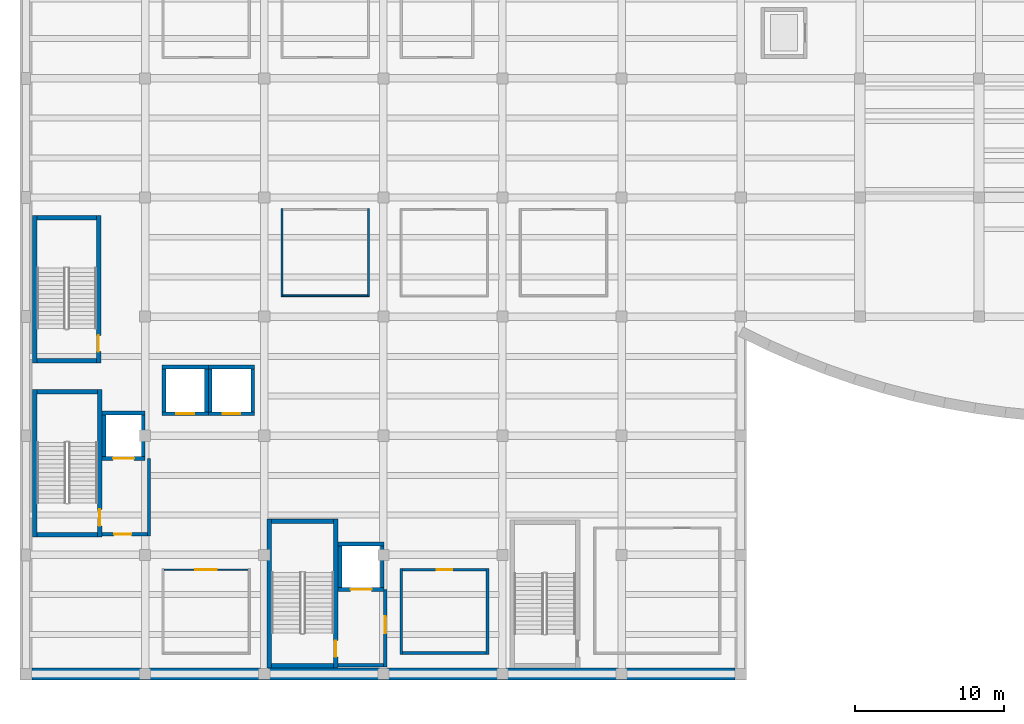
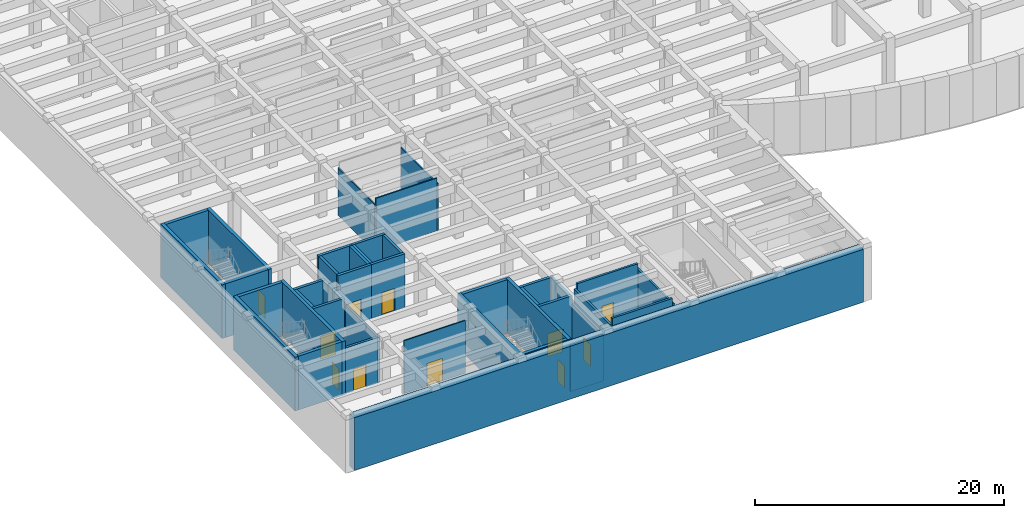
# One storey, part 5 of 19: 41 walls, 11 doors, 11 openings.
"""IFC4 building model written with IfcOpenShell, lengths in metres."""

from ifc_helpers import new_model, si_unit, direction, frame, frame_2d, origin, place, context, subcontext, project, spatial, rectangle, extrude, material, layer, layer_set, type_object, element, fill, save


model = new_model("IFC4")

# Units and contexts
model_context = context("Model", 3, precision=1e-05, world=origin(), true_north=direction((0.0, 1.0)))
body_context = subcontext(model_context, "Body", "Model", "MODEL_VIEW")
ifc_project = project(units=[si_unit("LENGTHUNIT", "METRE"), si_unit("AREAUNIT", "SQUARE_METRE"), si_unit("VOLUMEUNIT", "CUBIC_METRE"), si_unit("PLANEANGLEUNIT", "RADIAN"), si_unit("MASSUNIT", "GRAM", prefix="KILO")], contexts=[model_context])

# Site, building, storey
site_placement = place(None, origin())
site = spatial("IfcSite", under=ifc_project, at=site_placement, CompositionType="ELEMENT")
building_placement = place(site_placement, origin())
building = spatial("IfcBuilding", under=site, at=building_placement, Name="Drelvath Fold Interchange", CompositionType="ELEMENT")
storey_placement = place(building_placement, frame((0.0, 0.0, -5.60009765625)))
storey = spatial("IfcBuildingStorey", under=building, at=storey_placement, Name="B1", CompositionType="ELEMENT", Elevation=-5.60009765625)

# Wall
ifc_material_1 = material(Name="Concrete f'c 45 MPa (6500 psi)", Category="concrete")
ifc_layer_1 = layer(ifc_material_1, 0.300048828125, Name="Concrete f'c 45 MPa (6500 psi)")
ifc_layer_set_1 = layer_set([ifc_layer_1], Name="Concrete f'c 45 MPa (6500 psi)")
wall_type_1 = type_object("IfcWallType", Name="WL-CR300", PredefinedType="SHEAR", material=ifc_layer_set_1)
wall_1_placement = place(storey_placement, frame((4.75, 12.35009765625, 0.0), z_axis=(0.0, 0.0, 1.0), x_axis=(1.0, 0.0, 0.0)))
element("IfcWall", 1, at=wall_1_placement, inside=storey, type_object=wall_type_1, Name="ST-01 B1 south core wall", PredefinedType="SHEAR", context=body_context, shape_type="SweptSolid", body=[
    extrude(rectangle(XDim=4.06005859375, YDim=0.300048828125, at=frame_2d((2.030029296875, 0.0))), origin(), (0.0, 0.0, 1.0), 5.275146484375),
])

# Wall, opening, door
wall_2_placement = place(storey_placement, frame((8.9599609375, 12.199951171875, 0.0), z_axis=(0.0, 0.0, 1.0), x_axis=(0.0, 1.0, 0.0)))
wall_2 = element("IfcWall", 2, at=wall_2_placement, inside=storey, type_object=wall_type_1, Name="ST-01 B1 east core wall", PredefinedType="SHEAR", context=body_context, shape_type="SweptSolid", body=[
    extrude(rectangle(XDim=9.900146484375, YDim=0.300048828125, at=frame_2d((4.9501953125, 0.0))), origin(), (0.0, 0.0, 1.0), 5.275146484375),
])
opening_1_placement = place(wall_2_placement, frame((0.75, 0.0, 0.0)))
opening_1 = element("IfcOpeningElement", 3, at=opening_1_placement, cuts=wall_2, Name="Opening D-B1-002", PredefinedType="OPENING", context=body_context, shape_type="SweptSolid", body=[
    extrude(rectangle(XDim=1.10009765625, YDim=2.14990234375, at=frame_2d((0.550048828125, 1.074951171875))), frame((0.0, 0.159912109375, 0.0), z_axis=(0.0, -1.0, 0.0), x_axis=(1.0, 0.0, 0.0)), (0.0, 0.0, 1.0), 0.320068359375),
])
ifc_material_2 = material(Name="Insulated Hollow Metal Door Assembly")
door_type_1 = type_object("IfcDoorType", Name="DR-ST1100", OperationType="NOTDEFINED", PredefinedType="DOOR", material=ifc_material_2)
door_1_placement = place(opening_1_placement, origin())
door_1 = element("IfcDoor", 4, at=door_1_placement, inside=storey, type_object=door_type_1, Name="ST-01 B1 stair fire door D-B1-002", OperationType="SINGLE_SWING_RIGHT", OverallHeight=2.14990234375, OverallWidth=1.10009765625, PredefinedType="DOOR", context=body_context, shape_type="SweptSolid", body=[
    extrude(rectangle(XDim=1.10009765625, YDim=2.14990234375, at=frame_2d((0.550048828125, 1.074951171875))), frame((0.0, 0.02490234375, 0.0), z_axis=(0.0, -1.0, 0.0), x_axis=(1.0, 0.0, 0.0)), (0.0, 0.0, 1.0), 0.050048828125),
])
fill(opening_1, door_1)

# Walls
wall_3_placement = place(storey_placement, frame((8.81005859375, 21.949951171875, 0.0), z_axis=(0.0, 0.0, 1.0), x_axis=(-1.0, 0.0, 0.0)))
element("IfcWall", 5, at=wall_3_placement, inside=storey, type_object=wall_type_1, Name="ST-01 B1 north core wall", PredefinedType="SHEAR", context=body_context, shape_type="SweptSolid", body=[
    extrude(rectangle(XDim=4.06005859375, YDim=0.300048828125, at=frame_2d((2.030029296875, 0.0))), origin(), (0.0, 0.0, 1.0), 5.275146484375),
])
wall_4_placement = place(storey_placement, frame((4.60009765625, 22.10009765625, 0.0), z_axis=(0.0, 0.0, 1.0), x_axis=(0.0, -1.0, 0.0)))
element("IfcWall", 6, at=wall_4_placement, inside=storey, type_object=wall_type_1, Name="ST-01 B1 west core wall", PredefinedType="SHEAR", context=body_context, shape_type="SweptSolid", body=[
    extrude(rectangle(XDim=9.900146484375, YDim=0.300048828125, at=frame_2d((4.9501953125, 0.0))), origin(), (0.0, 0.0, 1.0), 5.275146484375),
])
wall_5_placement = place(storey_placement, frame((4.75, 24.050048828125, 0.0), z_axis=(0.0, 0.0, 1.0), x_axis=(1.0, 0.0, 0.0)))
element("IfcWall", 7, at=wall_5_placement, inside=storey, type_object=wall_type_1, Name="ST-02 B1 south core wall", PredefinedType="SHEAR", context=body_context, shape_type="SweptSolid", body=[
    extrude(rectangle(XDim=3.97998046875, YDim=0.300048828125, at=frame_2d((1.989990234375, 0.0))), origin(), (0.0, 0.0, 1.0), 5.275146484375),
])

# Wall, opening, door
wall_6_placement = place(storey_placement, frame((8.8798828125, 23.89990234375, 0.0), z_axis=(0.0, 0.0, 1.0), x_axis=(0.0, 1.0, 0.0)))
wall_6 = element("IfcWall", 8, at=wall_6_placement, inside=storey, type_object=wall_type_1, Name="ST-02 B1 east core wall", PredefinedType="SHEAR", context=body_context, shape_type="SweptSolid", body=[
    extrude(rectangle(XDim=9.900146484375, YDim=0.300048828125, at=frame_2d((4.9501953125, 0.0))), origin(), (0.0, 0.0, 1.0), 5.275146484375),
])
opening_2_placement = place(wall_6_placement, frame((0.75, 0.0, 0.0)))
opening_2 = element("IfcOpeningElement", 9, at=opening_2_placement, cuts=wall_6, Name="Opening D-B1-010", PredefinedType="OPENING", context=body_context, shape_type="SweptSolid", body=[
    extrude(rectangle(XDim=1.10009765625, YDim=2.14990234375, at=frame_2d((0.550048828125, 1.074951171875))), frame((0.0, 0.159912109375, 0.0), z_axis=(0.0, -1.0, 0.0), x_axis=(1.0, 0.0, 0.0)), (0.0, 0.0, 1.0), 0.320068359375),
])
door_2_placement = place(opening_2_placement, origin())
door_2 = element("IfcDoor", 10, at=door_2_placement, inside=storey, type_object=door_type_1, Name="ST-02 B1 stair fire door D-B1-010", OperationType="SINGLE_SWING_RIGHT", OverallHeight=2.14990234375, OverallWidth=1.10009765625, PredefinedType="DOOR", context=body_context, shape_type="SweptSolid", body=[
    extrude(rectangle(XDim=1.10009765625, YDim=2.14990234375, at=frame_2d((0.550048828125, 1.074951171875))), frame((0.0, 0.02490234375, 0.0), z_axis=(0.0, -1.0, 0.0), x_axis=(1.0, 0.0, 0.0)), (0.0, 0.0, 1.0), 0.050048828125),
])
fill(opening_2, door_2)

# Walls
wall_7_placement = place(storey_placement, frame((8.72998046875, 33.64990234375, 0.0), z_axis=(0.0, 0.0, 1.0), x_axis=(-1.0, 0.0, 0.0)))
element("IfcWall", 11, at=wall_7_placement, inside=storey, type_object=wall_type_1, Name="ST-02 B1 north core wall", PredefinedType="SHEAR", context=body_context, shape_type="SweptSolid", body=[
    extrude(rectangle(XDim=3.97998046875, YDim=0.300048828125, at=frame_2d((1.989990234375, 0.0))), origin(), (0.0, 0.0, 1.0), 5.275146484375),
])
wall_8_placement = place(storey_placement, frame((4.60009765625, 33.800048828125, 0.0), z_axis=(0.0, 0.0, 1.0), x_axis=(0.0, -1.0, 0.0)))
element("IfcWall", 12, at=wall_8_placement, inside=storey, type_object=wall_type_1, Name="ST-02 B1 west core wall", PredefinedType="SHEAR", context=body_context, shape_type="SweptSolid", body=[
    extrude(rectangle(XDim=9.900146484375, YDim=0.300048828125, at=frame_2d((4.9501953125, 0.0))), origin(), (0.0, 0.0, 1.0), 5.275146484375),
])
wall_9_placement = place(storey_placement, frame((20.5, 3.550048828125, 0.0), z_axis=(0.0, 0.0, 1.0), x_axis=(1.0, 0.0, 0.0)))
element("IfcWall", 13, at=wall_9_placement, inside=storey, type_object=wall_type_1, Name="ST-03 B1 south core wall", PredefinedType="SHEAR", context=body_context, shape_type="SweptSolid", body=[
    extrude(rectangle(XDim=4.159912109375, YDim=0.300048828125, at=frame_2d((2.080078125, 0.0))), origin(), (0.0, 0.0, 1.0), 5.275146484375),
])

# Wall, opening, door
wall_10_placement = place(storey_placement, frame((24.81005859375, 3.39990234375, 0.0), z_axis=(0.0, 0.0, 1.0), x_axis=(0.0, 1.0, 0.0)))
wall_10 = element("IfcWall", 14, at=wall_10_placement, inside=storey, type_object=wall_type_1, Name="ST-03 B1 east core wall", PredefinedType="SHEAR", context=body_context, shape_type="SweptSolid", body=[
    extrude(rectangle(XDim=10.0, YDim=0.300048828125, at=frame_2d((5.0, 0.0))), origin(), (0.0, 0.0, 1.0), 5.275146484375),
])
opening_3_placement = place(wall_10_placement, frame((0.75, 0.0, 0.0)))
opening_3 = element("IfcOpeningElement", 15, at=opening_3_placement, cuts=wall_10, Name="Opening D-B1-018", PredefinedType="OPENING", context=body_context, shape_type="SweptSolid", body=[
    extrude(rectangle(XDim=1.10009765625, YDim=2.14990234375, at=frame_2d((0.550048828125, 1.074951171875))), frame((0.0, 0.159912109375, 0.0), z_axis=(0.0, -1.0, 0.0), x_axis=(1.0, 0.0, 0.0)), (0.0, 0.0, 1.0), 0.320068359375),
])
door_3_placement = place(opening_3_placement, origin())
door_3 = element("IfcDoor", 16, at=door_3_placement, inside=storey, type_object=door_type_1, Name="ST-03 B1 stair fire door D-B1-018", OperationType="SINGLE_SWING_RIGHT", OverallHeight=2.14990234375, OverallWidth=1.10009765625, PredefinedType="DOOR", context=body_context, shape_type="SweptSolid", body=[
    extrude(rectangle(XDim=1.10009765625, YDim=2.14990234375, at=frame_2d((0.550048828125, 1.074951171875))), frame((0.0, 0.02490234375, 0.0), z_axis=(0.0, -1.0, 0.0), x_axis=(1.0, 0.0, 0.0)), (0.0, 0.0, 1.0), 0.050048828125),
])
fill(opening_3, door_3)

# Walls
wall_11_placement = place(storey_placement, frame((24.659912109375, 13.25, 0.0), z_axis=(0.0, 0.0, 1.0), x_axis=(-1.0, 0.0, 0.0)))
element("IfcWall", 17, at=wall_11_placement, inside=storey, type_object=wall_type_1, Name="ST-03 B1 north core wall", PredefinedType="SHEAR", context=body_context, shape_type="SweptSolid", body=[
    extrude(rectangle(XDim=4.159912109375, YDim=0.300048828125, at=frame_2d((2.080078125, 0.0))), origin(), (0.0, 0.0, 1.0), 5.275146484375),
])
wall_12_placement = place(storey_placement, frame((20.35009765625, 13.39990234375, 0.0), z_axis=(0.0, 0.0, 1.0), x_axis=(0.0, -1.0, 0.0)))
element("IfcWall", 18, at=wall_12_placement, inside=storey, type_object=wall_type_1, Name="ST-03 B1 west core wall", PredefinedType="SHEAR", context=body_context, shape_type="SweptSolid", body=[
    extrude(rectangle(XDim=10.0, YDim=0.300048828125, at=frame_2d((5.0, 0.0))), origin(), (0.0, 0.0, 1.0), 5.275146484375),
])
ifc_layer_2 = layer(ifc_material_1, 0.800048828125, Name="Concrete f'c 45 MPa (6500 psi)")
ifc_layer_set_2 = layer_set([ifc_layer_2], Name="Concrete f'c 45 MPa (6500 psi)")
wall_type_2 = type_object("IfcWallType", Name="WL-DW800", PredefinedType="SOLIDWALL", material=ifc_layer_set_2)
wall_13_placement = place(storey_placement, frame((4.39990234375, 3.0, 0.0), z_axis=(0.0, 0.0, 1.0), x_axis=(1.0, 0.0, 0.0)))
element("IfcWall", 19, at=wall_13_placement, inside=storey, type_object=wall_type_2, Name="B1 diaphragm wall 32", PredefinedType="SOLIDWALL", context=body_context, shape_type="SweptSolid", body=[
    extrude(rectangle(XDim=47.2001953125, YDim=0.800048828125, at=frame_2d((23.60009765625, 0.0))), origin(), (0.0, 0.0, 1.0), 5.18017578125),
])

# Wall, opening, door
ifc_layer_3 = layer(ifc_material_1, 0.219970703125, Name="Concrete f'c 45 MPa (6500 psi)")
ifc_layer_set_3 = layer_set([ifc_layer_3], Name="Concrete f'c 45 MPa (6500 psi)")
wall_type_3 = type_object("IfcWallType", Name="WL-FF220", PredefinedType="SOLIDWALL", material=ifc_layer_set_3)
wall_14_placement = place(storey_placement, frame((9.1201171875, 12.389892578125, 0.0), z_axis=(0.0, 0.0, 1.0), x_axis=(1.0, 0.0, 0.0)))
wall_14 = element("IfcWall", 20, at=wall_14_placement, inside=storey, type_object=wall_type_3, Name="Firefighting Lift Lobby FF-1 B1 south rated wall", PredefinedType="SOLIDWALL", context=body_context, shape_type="SweptSolid", body=[
    extrude(rectangle(XDim=3.039794921875, YDim=0.219970703125, at=frame_2d((1.52001953125, 0.0))), origin(), (0.0, 0.0, 1.0), 4.47509765625),
])
opening_4_placement = place(wall_14_placement, frame((0.804931640625, 0.0, 0.0)))
opening_4 = element("IfcOpeningElement", 21, at=opening_4_placement, cuts=wall_14, Name="Opening D-B1-049", PredefinedType="OPENING", context=body_context, shape_type="SweptSolid", body=[
    extrude(rectangle(XDim=1.14990234375, YDim=2.14990234375, at=frame_2d((0.574951171875, 1.074951171875))), frame((0.0, 0.119873046875, 0.0), z_axis=(0.0, -1.0, 0.0), x_axis=(1.0, 0.0, 0.0)), (0.0, 0.0, 1.0), 0.239990234375),
])
door_type_2 = type_object("IfcDoorType", Name="DR-FF1150", OperationType="NOTDEFINED", PredefinedType="DOOR", material=ifc_material_2)
door_4_placement = place(opening_4_placement, frame((1.14990234375, 0.0, 0.0), z_axis=(0.0, 0.0, 1.0), x_axis=(-1.0, 0.0, 0.0)))
door_4 = element("IfcDoor", 22, at=door_4_placement, inside=storey, type_object=door_type_2, Name="Firefighting Lift Lobby FF-1 B1 corridor fire door D-B1-049", OperationType="SINGLE_SWING_LEFT", OverallHeight=2.14990234375, OverallWidth=1.14990234375, PredefinedType="DOOR", context=body_context, shape_type="SweptSolid", body=[
    extrude(rectangle(XDim=1.14990234375, YDim=2.14990234375, at=frame_2d((0.574951171875, 1.074951171875))), frame((0.0, 0.02490234375, 0.0), z_axis=(0.0, -1.0, 0.0), x_axis=(1.0, 0.0, 0.0)), (0.0, 0.0, 1.0), 0.050048828125),
])
fill(opening_4, door_4)

# Walls
wall_15_placement = place(storey_placement, frame((12.27001953125, 12.280029296875, 0.0), z_axis=(0.0, 0.0, 1.0), x_axis=(0.0, 1.0, 0.0)))
element("IfcWall", 23, at=wall_15_placement, inside=storey, type_object=wall_type_3, Name="Firefighting Lift Lobby FF-1 B1 east rated wall", PredefinedType="SOLIDWALL", context=body_context, shape_type="SweptSolid", body=[
    extrude(rectangle(XDim=5.2099609375, YDim=0.219970703125, at=frame_2d((2.60498046875, 0.0))), origin(), (0.0, 0.0, 1.0), 4.47509765625),
])
wall_16_placement = place(storey_placement, frame((24.969970703125, 3.590087890625, 0.0), z_axis=(0.0, 0.0, 1.0), x_axis=(1.0, 0.0, 0.0)))
element("IfcWall", 24, at=wall_16_placement, inside=storey, type_object=wall_type_3, Name="Firefighting Lift Lobby FF-2 B1 south rated wall", PredefinedType="SOLIDWALL", context=body_context, shape_type="SweptSolid", body=[
    extrude(rectangle(XDim=3.0400390625, YDim=0.219970703125, at=frame_2d((1.52001953125, 0.0))), origin(), (0.0, 0.0, 1.0), 4.47509765625),
])

# Wall, opening, door
wall_17_placement = place(storey_placement, frame((28.1201171875, 3.47998046875, 0.0), z_axis=(0.0, 0.0, 1.0), x_axis=(0.0, 1.0, 0.0)))
wall_17 = element("IfcWall", 25, at=wall_17_placement, inside=storey, type_object=wall_type_3, Name="Firefighting Lift Lobby FF-2 B1 east rated wall", PredefinedType="SOLIDWALL", context=body_context, shape_type="SweptSolid", body=[
    extrude(rectangle(XDim=5.2099609375, YDim=0.219970703125, at=frame_2d((2.60498046875, 0.0))), origin(), (0.0, 0.0, 1.0), 4.47509765625),
])
opening_5_placement = place(wall_17_placement, frame((2.2451171875, 0.0, 0.0)))
opening_5 = element("IfcOpeningElement", 26, at=opening_5_placement, cuts=wall_17, Name="Opening D-B1-057", PredefinedType="OPENING", context=body_context, shape_type="SweptSolid", body=[
    extrude(rectangle(XDim=1.14990234375, YDim=2.14990234375, at=frame_2d((0.574951171875, 1.074951171875))), frame((0.0, 0.119873046875, 0.0), z_axis=(0.0, -1.0, 0.0), x_axis=(1.0, 0.0, 0.0)), (0.0, 0.0, 1.0), 0.239990234375),
])
door_5_placement = place(opening_5_placement, origin())
door_5 = element("IfcDoor", 27, at=door_5_placement, inside=storey, type_object=door_type_2, Name="Firefighting Lift Lobby FF-2 B1 corridor fire door D-B1-057", OperationType="SINGLE_SWING_LEFT", OverallHeight=2.14990234375, OverallWidth=1.14990234375, PredefinedType="DOOR", context=body_context, shape_type="SweptSolid", body=[
    extrude(rectangle(XDim=1.14990234375, YDim=2.14990234375, at=frame_2d((0.574951171875, 1.074951171875))), frame((0.0, 0.02490234375, 0.0), z_axis=(0.0, -1.0, 0.0), x_axis=(1.0, 0.0, 0.0)), (0.0, 0.0, 1.0), 0.050048828125),
])
fill(opening_5, door_5)

# Walls
ifc_material_3 = material(Name="Fire-Rated Gypsum Board Assembly")
ifc_layer_4 = layer(ifc_material_3, 0.195068359375, Name="Fire-Rated Gypsum Board Assembly")
ifc_layer_set_4 = layer_set([ifc_layer_4], Name="Fire-Rated Gypsum Board Assembly")
wall_type_4 = type_object("IfcWallType", Name="WL-FR195", PredefinedType="PARTITIONING", material=ifc_layer_set_4)
wall_18_placement = place(storey_placement, frame((29.297119140625, 4.39990234375, 0.0), z_axis=(0.0, 0.0, 1.0), x_axis=(1.0, 0.0, 0.0)))
element("IfcWall", 28, at=wall_18_placement, inside=storey, type_object=wall_type_4, Name="Left Luggage and Lost Property Vault S partition", PredefinedType="PARTITIONING", context=body_context, shape_type="SweptSolid", body=[
    extrude(rectangle(XDim=5.60595703125, YDim=0.195068359375, at=frame_2d((2.802978515625, 0.0))), origin(), (0.0, 0.0, 1.0), 5.18017578125),
])
wall_19_placement = place(storey_placement, frame((35.0, 4.302978515625, 0.0), z_axis=(0.0, 0.0, 1.0), x_axis=(0.0, 1.0, 0.0)))
element("IfcWall", 29, at=wall_19_placement, inside=storey, type_object=wall_type_4, Name="Left Luggage and Lost Property Vault E partition", PredefinedType="PARTITIONING", context=body_context, shape_type="SweptSolid", body=[
    extrude(rectangle(XDim=5.794921875, YDim=0.195068359375, at=frame_2d((2.8974609375, 0.0))), origin(), (0.0, 0.0, 1.0), 4.625),
])

# Wall, opening, door
wall_20_placement = place(storey_placement, frame((34.903076171875, 10.0, 0.0), z_axis=(0.0, 0.0, 1.0), x_axis=(-1.0, 0.0, 0.0)))
wall_20 = element("IfcWall", 30, at=wall_20_placement, inside=storey, type_object=wall_type_4, Name="Left Luggage and Lost Property Vault N partition", PredefinedType="PARTITIONING", context=body_context, shape_type="SweptSolid", body=[
    extrude(rectangle(XDim=5.60595703125, YDim=0.195068359375, at=frame_2d((2.802978515625, 0.0))), origin(), (0.0, 0.0, 1.0), 5.18017578125),
])
opening_6_placement = place(wall_20_placement, frame((2.27294921875, 0.0, 0.0)))
opening_6 = element("IfcOpeningElement", 31, at=opening_6_placement, cuts=wall_20, Name="Opening D-B1-081", PredefinedType="OPENING", context=body_context, shape_type="SweptSolid", body=[
    extrude(rectangle(XDim=1.06005859375, YDim=2.159912109375, at=frame_2d((0.530029296875, 1.080078125))), frame((0.0, 0.107421875, 0.0), z_axis=(0.0, -1.0, 0.0), x_axis=(1.0, 0.0, 0.0)), (0.0, 0.0, 1.0), 0.215087890625),
])
door_type_3 = type_object("IfcDoorType", Name="DR-FD106", OperationType="NOTDEFINED", PredefinedType="DOOR", material=ifc_material_2)
door_6_placement = place(opening_6_placement, origin())
door_6 = element("IfcDoor", 32, at=door_6_placement, inside=storey, type_object=door_type_3, Name="Left Luggage and Lost Property Vault door D-B1-081", OperationType="SINGLE_SWING_RIGHT", OverallHeight=2.159912109375, OverallWidth=1.06005859375, PredefinedType="DOOR", context=body_context, shape_type="SweptSolid", body=[
    extrude(rectangle(XDim=1.06005859375, YDim=2.159912109375, at=frame_2d((0.530029296875, 1.080078125))), frame((0.0, 0.02490234375, 0.0), z_axis=(0.0, -1.0, 0.0), x_axis=(1.0, 0.0, 0.0)), (0.0, 0.0, 1.0), 0.050048828125),
])
fill(opening_6, door_6)

# Wall
wall_21_placement = place(storey_placement, frame((29.199951171875, 10.097900390625, 0.0), z_axis=(0.0, 0.0, 1.0), x_axis=(0.0, -1.0, 0.0)))
element("IfcWall", 33, at=wall_21_placement, inside=storey, type_object=wall_type_4, Name="Left Luggage and Lost Property Vault W partition", PredefinedType="PARTITIONING", context=body_context, shape_type="SweptSolid", body=[
    extrude(rectangle(XDim=5.794921875, YDim=0.195068359375, at=frame_2d((2.8974609375, 0.0))), origin(), (0.0, 0.0, 1.0), 4.625),
])

# Wall, opening, door
ifc_material_4 = material(Name="Acoustic Gypsum Board Partition Assembly")
ifc_layer_5 = layer(ifc_material_4, 0.114990234375, Name="Acoustic Gypsum Board Partition Assembly")
ifc_layer_set_5 = layer_set([ifc_layer_5], Name="Acoustic Gypsum Board Partition Assembly")
wall_type_5 = type_object("IfcWallType", Name="WL-PT115", PredefinedType="PARTITIONING", material=ifc_layer_set_5)
wall_22_placement = place(storey_placement, frame((18.94189453125, 10.0, 0.0), z_axis=(0.0, 0.0, 1.0), x_axis=(-1.0, 0.0, 0.0)))
wall_22 = element("IfcWall", 34, at=wall_22_placement, inside=storey, type_object=wall_type_5, Name="Subway Ticket Office and Fare Desk N partition", PredefinedType="PARTITIONING", context=body_context, shape_type="SweptSolid", body=[
    extrude(rectangle(XDim=5.684814453125, YDim=0.114990234375, at=frame_2d((2.84228515625, 0.0))), origin(), (0.0, 0.0, 1.0), 5.18017578125),
])
opening_7_placement = place(wall_22_placement, frame((2.113037109375, 0.0, 0.0)))
opening_7 = element("IfcOpeningElement", 35, at=opening_7_placement, cuts=wall_22, Name="Opening D-B1-080", PredefinedType="OPENING", context=body_context, shape_type="SweptSolid", body=[
    extrude(rectangle(XDim=1.4599609375, YDim=2.199951171875, at=frame_2d((0.72998046875, 1.10009765625))), frame((0.0, 0.0673828125, 0.0), z_axis=(0.0, -1.0, 0.0), x_axis=(1.0, 0.0, 0.0)), (0.0, 0.0, 1.0), 0.135009765625),
])
ifc_material_5 = material(Name="Anodized Aluminium Glazed Door Assembly", Category="aluminium")
door_type_4 = type_object("IfcDoorType", Name="DR-NR146", OperationType="DOUBLE_DOOR_SINGLE_SWING", PredefinedType="DOOR", material=ifc_material_5)
door_7_placement = place(opening_7_placement, origin())
door_7 = element("IfcDoor", 36, at=door_7_placement, inside=storey, type_object=door_type_4, Name="Subway Ticket Office and Fare Desk door D-B1-080", OperationType="DOUBLE_DOOR_SINGLE_SWING", OverallHeight=2.199951171875, OverallWidth=1.4599609375, PredefinedType="DOOR", context=body_context, shape_type="SweptSolid", body=[
    extrude(rectangle(XDim=1.4599609375, YDim=2.199951171875, at=frame_2d((0.72998046875, 1.10009765625))), frame((0.0, 0.02490234375, 0.0), z_axis=(0.0, -1.0, 0.0), x_axis=(1.0, 0.0, 0.0)), (0.0, 0.0, 1.0), 0.050048828125),
])
fill(opening_7, door_7)

# Walls
wall_23_placement = place(storey_placement, frame((21.258056640625, 28.39990234375, 0.0), z_axis=(0.0, 0.0, 1.0), x_axis=(1.0, 0.0, 0.0)))
element("IfcWall", 37, at=wall_23_placement, inside=storey, type_object=wall_type_5, Name="Mezzanine Convenience Retail Unit 1 S partition", PredefinedType="PARTITIONING", context=body_context, shape_type="SweptSolid", body=[
    extrude(rectangle(XDim=5.683837890625, YDim=0.114990234375, at=frame_2d((2.841796875, 0.0))), origin(), (0.0, 0.0, 1.0), 5.18017578125),
])
for number, where, z_axis, x_axis, name in (
    (38, (27.0, 28.342041015625, 0.0), (0.0, 0.0, 1.0), (0.0, 1.0, 0.0), "Mezzanine Convenience Retail Unit 1 E partition"),
    (39, (21.199951171875, 34.258056640625, 0.0), (0.0, 0.0, 1.0), (0.0, -1.0, 0.0), "Mezzanine Convenience Retail Unit 1 W partition"),
):
    element("IfcWall", number, at=place(storey_placement, frame(where, z_axis=z_axis, x_axis=x_axis)), inside=storey, type_object=wall_type_5, Name=name, PredefinedType="PARTITIONING", context=body_context, shape_type="SweptSolid", body=[
        extrude(rectangle(XDim=5.916015625, YDim=0.114990234375, at=frame_2d((2.9580078125, 0.0))), origin(), (0.0, 0.0, 1.0), 4.625),
    ])

# Wall, opening, door
ifc_layer_6 = layer(ifc_material_1, 0.25, Name="Concrete f'c 45 MPa (6500 psi)")
ifc_layer_set_6 = layer_set([ifc_layer_6], Name="Concrete f'c 45 MPa (6500 psi)")
wall_type_6 = type_object("IfcWallType", Name="WL-SH250", PredefinedType="SOLIDWALL", material=ifc_layer_set_6)
wall_24_placement = place(storey_placement, frame((9.110107421875, 17.47509765625, 0.0), z_axis=(0.0, 0.0, 1.0), x_axis=(1.0, 0.0, 0.0)))
wall_24 = element("IfcWall", 40, at=wall_24_placement, inside=storey, type_object=wall_type_6, Name="LF-FF1 B1 south shaft wall", PredefinedType="SOLIDWALL", context=body_context, shape_type="SweptSolid", body=[
    extrude(rectangle(XDim=2.89990234375, YDim=0.25, at=frame_2d((1.449951171875, 0.0))), origin(), (0.0, 0.0, 1.0), 5.275146484375),
])
opening_8_placement = place(wall_24_placement, frame((0.75, 0.0, 0.0)))
opening_8 = element("IfcOpeningElement", 41, at=opening_8_placement, cuts=wall_24, Name="Opening LD-LF-FF1-B1", PredefinedType="OPENING", context=body_context, shape_type="SweptSolid", body=[
    extrude(rectangle(XDim=1.39990234375, YDim=2.25, at=frame_2d((0.699951171875, 1.125))), frame((0.0, 0.135009765625, 0.0), z_axis=(0.0, -1.0, 0.0), x_axis=(1.0, 0.0, 0.0)), (0.0, 0.0, 1.0), 0.27001953125),
])
door_type_5 = type_object("IfcDoorType", Name="DR-LD1400", OperationType="DOUBLE_DOOR_SLIDING", PredefinedType="DOOR", material=ifc_material_2)
door_8_placement = place(opening_8_placement, frame((1.39990234375, 0.0, 0.0), z_axis=(0.0, 0.0, 1.0), x_axis=(-1.0, 0.0, 0.0)))
door_8 = element("IfcDoor", 42, at=door_8_placement, inside=storey, type_object=door_type_5, Name="LF-FF1 B1 lift landing sliding door LD-LF-FF1-B1", OperationType="DOUBLE_DOOR_SLIDING", OverallHeight=2.25, OverallWidth=1.39990234375, PredefinedType="DOOR", context=body_context, shape_type="SweptSolid", body=[
    extrude(rectangle(XDim=1.39990234375, YDim=2.25, at=frame_2d((0.699951171875, 1.125))), frame((0.0, 0.02490234375, 0.0), z_axis=(0.0, -1.0, 0.0), x_axis=(1.0, 0.0, 0.0)), (0.0, 0.0, 1.0), 0.050048828125),
])
fill(opening_8, door_8)

# Walls
wall_25_placement = place(storey_placement, frame((12.010009765625, 20.52490234375, 0.0), z_axis=(0.0, 0.0, 1.0), x_axis=(-1.0, 0.0, 0.0)))
element("IfcWall", 43, at=wall_25_placement, inside=storey, type_object=wall_type_6, Name="LF-FF1 B1 north shaft wall", PredefinedType="SOLIDWALL", context=body_context, shape_type="SweptSolid", body=[
    extrude(rectangle(XDim=2.89990234375, YDim=0.25, at=frame_2d((1.449951171875, 0.0))), origin(), (0.0, 0.0, 1.0), 5.275146484375),
])
for number, where, z_axis, x_axis, name in (
    (44, (11.885009765625, 17.60009765625, 0.0), (0.0, 0.0, 1.0), (0.0, 1.0, 0.0), "LF-FF1 B1 east shaft wall"),
    (45, (9.235107421875, 20.39990234375, 0.0), (0.0, 0.0, 1.0), (0.0, -1.0, 0.0), "LF-FF1 B1 west shaft wall"),
):
    element("IfcWall", number, at=place(storey_placement, frame(where, z_axis=z_axis, x_axis=x_axis)), inside=storey, type_object=wall_type_6, Name=name, PredefinedType="SOLIDWALL", context=body_context, shape_type="SweptSolid", body=[
        extrude(rectangle(XDim=2.7998046875, YDim=0.25, at=frame_2d((1.39990234375, 0.0))), origin(), (0.0, 0.0, 1.0), 5.275146484375),
    ])

# Wall, opening, door
wall_26_placement = place(storey_placement, frame((24.9599609375, 8.675048828125, 0.0), z_axis=(0.0, 0.0, 1.0), x_axis=(1.0, 0.0, 0.0)))
wall_26 = element("IfcWall", 46, at=wall_26_placement, inside=storey, type_object=wall_type_6, Name="LF-FF2 B1 south shaft wall", PredefinedType="SOLIDWALL", context=body_context, shape_type="SweptSolid", body=[
    extrude(rectangle(XDim=3.10009765625, YDim=0.25, at=frame_2d((1.550048828125, 0.0))), origin(), (0.0, 0.0, 1.0), 5.275146484375),
])
opening_9_placement = place(wall_26_placement, frame((0.85009765625, 0.0, 0.0)))
opening_9 = element("IfcOpeningElement", 47, at=opening_9_placement, cuts=wall_26, Name="Opening LD-LF-FF2-B1", PredefinedType="OPENING", context=body_context, shape_type="SweptSolid", body=[
    extrude(rectangle(XDim=1.39990234375, YDim=2.25, at=frame_2d((0.699951171875, 1.125))), frame((0.0, 0.135009765625, 0.0), z_axis=(0.0, -1.0, 0.0), x_axis=(1.0, 0.0, 0.0)), (0.0, 0.0, 1.0), 0.27001953125),
])
door_9_placement = place(opening_9_placement, frame((1.39990234375, 0.0, 0.0), z_axis=(0.0, 0.0, 1.0), x_axis=(-1.0, 0.0, 0.0)))
door_9 = element("IfcDoor", 48, at=door_9_placement, inside=storey, type_object=door_type_5, Name="LF-FF2 B1 lift landing sliding door LD-LF-FF2-B1", OperationType="DOUBLE_DOOR_SLIDING", OverallHeight=2.25, OverallWidth=1.39990234375, PredefinedType="DOOR", context=body_context, shape_type="SweptSolid", body=[
    extrude(rectangle(XDim=1.39990234375, YDim=2.25, at=frame_2d((0.699951171875, 1.125))), frame((0.0, 0.02490234375, 0.0), z_axis=(0.0, -1.0, 0.0), x_axis=(1.0, 0.0, 0.0)), (0.0, 0.0, 1.0), 0.050048828125),
])
fill(opening_9, door_9)

# Walls
wall_27_placement = place(storey_placement, frame((28.06005859375, 11.72509765625, 0.0), z_axis=(0.0, 0.0, 1.0), x_axis=(-1.0, 0.0, 0.0)))
element("IfcWall", 49, at=wall_27_placement, inside=storey, type_object=wall_type_6, Name="LF-FF2 B1 north shaft wall", PredefinedType="SOLIDWALL", context=body_context, shape_type="SweptSolid", body=[
    extrude(rectangle(XDim=3.10009765625, YDim=0.25, at=frame_2d((1.550048828125, 0.0))), origin(), (0.0, 0.0, 1.0), 5.275146484375),
])
for number, where, z_axis, x_axis, name in (
    (50, (27.93505859375, 8.800048828125, 0.0), (0.0, 0.0, 1.0), (0.0, 1.0, 0.0), "LF-FF2 B1 east shaft wall"),
    (51, (25.0849609375, 11.60009765625, 0.0), (0.0, 0.0, 1.0), (0.0, -1.0, 0.0), "LF-FF2 B1 west shaft wall"),
):
    element("IfcWall", number, at=place(storey_placement, frame(where, z_axis=z_axis, x_axis=x_axis)), inside=storey, type_object=wall_type_6, Name=name, PredefinedType="SOLIDWALL", context=body_context, shape_type="SweptSolid", body=[
        extrude(rectangle(XDim=2.800048828125, YDim=0.25, at=frame_2d((1.39990234375, 0.0))), origin(), (0.0, 0.0, 1.0), 5.275146484375),
    ])

# Wall, opening, door
wall_28_placement = place(storey_placement, frame((13.14990234375, 20.47509765625, 0.0), z_axis=(0.0, 0.0, 1.0), x_axis=(1.0, 0.0, 0.0)))
wall_28 = element("IfcWall", 52, at=wall_28_placement, inside=storey, type_object=wall_type_6, Name="LF-01 B1 south shaft wall", PredefinedType="SOLIDWALL", context=body_context, shape_type="SweptSolid", body=[
    extrude(rectangle(XDim=3.10009765625, YDim=0.25, at=frame_2d((1.550048828125, 0.0))), origin(), (0.0, 0.0, 1.0), 5.275146484375),
])
opening_10_placement = place(wall_28_placement, frame((0.949951171875, 0.0, 0.0)))
opening_10 = element("IfcOpeningElement", 53, at=opening_10_placement, cuts=wall_28, Name="Opening LD-LF-01-B1", PredefinedType="OPENING", context=body_context, shape_type="SweptSolid", body=[
    extrude(rectangle(XDim=1.199951171875, YDim=2.199951171875, at=frame_2d((0.60009765625, 1.10009765625))), frame((0.0, 0.135009765625, 0.0), z_axis=(0.0, -1.0, 0.0), x_axis=(1.0, 0.0, 0.0)), (0.0, 0.0, 1.0), 0.27001953125),
])
door_type_6 = type_object("IfcDoorType", Name="DR-LD1200", OperationType="DOUBLE_DOOR_SLIDING", PredefinedType="DOOR", material=ifc_material_2)
door_10_placement = place(opening_10_placement, frame((1.199951171875, 0.0, 0.0), z_axis=(0.0, 0.0, 1.0), x_axis=(-1.0, 0.0, 0.0)))
door_10 = element("IfcDoor", 54, at=door_10_placement, inside=storey, type_object=door_type_6, Name="LF-01 B1 lift landing sliding door LD-LF-01-B1", OperationType="DOUBLE_DOOR_SLIDING", OverallHeight=2.199951171875, OverallWidth=1.199951171875, PredefinedType="DOOR", context=body_context, shape_type="SweptSolid", body=[
    extrude(rectangle(XDim=1.199951171875, YDim=2.199951171875, at=frame_2d((0.60009765625, 1.10009765625))), frame((0.0, 0.02490234375, 0.0), z_axis=(0.0, -1.0, 0.0), x_axis=(1.0, 0.0, 0.0)), (0.0, 0.0, 1.0), 0.050048828125),
])
fill(opening_10, door_10)

# Walls
wall_29_placement = place(storey_placement, frame((16.25, 23.625, 0.0), z_axis=(0.0, 0.0, 1.0), x_axis=(-1.0, 0.0, 0.0)))
element("IfcWall", 55, at=wall_29_placement, inside=storey, type_object=wall_type_6, Name="LF-01 B1 north shaft wall", PredefinedType="SOLIDWALL", context=body_context, shape_type="SweptSolid", body=[
    extrude(rectangle(XDim=3.10009765625, YDim=0.25, at=frame_2d((1.550048828125, 0.0))), origin(), (0.0, 0.0, 1.0), 5.275146484375),
])
for number, where, z_axis, x_axis, name in (
    (56, (16.125, 20.60009765625, 0.0), (0.0, 0.0, 1.0), (0.0, 1.0, 0.0), "LF-01 B1 east shaft wall"),
    (57, (13.27490234375, 23.5, 0.0), (0.0, 0.0, 1.0), (0.0, -1.0, 0.0), "LF-01 B1 west shaft wall"),
):
    element("IfcWall", number, at=place(storey_placement, frame(where, z_axis=z_axis, x_axis=x_axis)), inside=storey, type_object=wall_type_6, Name=name, PredefinedType="SOLIDWALL", context=body_context, shape_type="SweptSolid", body=[
        extrude(rectangle(XDim=2.89990234375, YDim=0.25, at=frame_2d((1.449951171875, 0.0))), origin(), (0.0, 0.0, 1.0), 5.275146484375),
    ])

# Wall, opening, door
wall_30_placement = place(storey_placement, frame((16.25, 20.47509765625, 0.0), z_axis=(0.0, 0.0, 1.0), x_axis=(1.0, 0.0, 0.0)))
wall_30 = element("IfcWall", 58, at=wall_30_placement, inside=storey, type_object=wall_type_6, Name="LF-02 B1 south shaft wall", PredefinedType="SOLIDWALL", context=body_context, shape_type="SweptSolid", body=[
    extrude(rectangle(XDim=3.10009765625, YDim=0.25, at=frame_2d((1.550048828125, 0.0))), origin(), (0.0, 0.0, 1.0), 5.275146484375),
])
opening_11_placement = place(wall_30_placement, frame((0.949951171875, 0.0, 0.0)))
opening_11 = element("IfcOpeningElement", 59, at=opening_11_placement, cuts=wall_30, Name="Opening LD-LF-02-B1", PredefinedType="OPENING", context=body_context, shape_type="SweptSolid", body=[
    extrude(rectangle(XDim=1.199951171875, YDim=2.199951171875, at=frame_2d((0.60009765625, 1.10009765625))), frame((0.0, 0.135009765625, 0.0), z_axis=(0.0, -1.0, 0.0), x_axis=(1.0, 0.0, 0.0)), (0.0, 0.0, 1.0), 0.27001953125),
])
door_11_placement = place(opening_11_placement, frame((1.199951171875, 0.0, 0.0), z_axis=(0.0, 0.0, 1.0), x_axis=(-1.0, 0.0, 0.0)))
door_11 = element("IfcDoor", 60, at=door_11_placement, inside=storey, type_object=door_type_6, Name="LF-02 B1 lift landing sliding door LD-LF-02-B1", OperationType="DOUBLE_DOOR_SLIDING", OverallHeight=2.199951171875, OverallWidth=1.199951171875, PredefinedType="DOOR", context=body_context, shape_type="SweptSolid", body=[
    extrude(rectangle(XDim=1.199951171875, YDim=2.199951171875, at=frame_2d((0.60009765625, 1.10009765625))), frame((0.0, 0.02490234375, 0.0), z_axis=(0.0, -1.0, 0.0), x_axis=(1.0, 0.0, 0.0)), (0.0, 0.0, 1.0), 0.050048828125),
])
fill(opening_11, door_11)

# Walls
wall_31_placement = place(storey_placement, frame((19.35009765625, 23.625, 0.0), z_axis=(0.0, 0.0, 1.0), x_axis=(-1.0, 0.0, 0.0)))
element("IfcWall", 61, at=wall_31_placement, inside=storey, type_object=wall_type_6, Name="LF-02 B1 north shaft wall", PredefinedType="SOLIDWALL", context=body_context, shape_type="SweptSolid", body=[
    extrude(rectangle(XDim=3.10009765625, YDim=0.25, at=frame_2d((1.550048828125, 0.0))), origin(), (0.0, 0.0, 1.0), 5.275146484375),
])
for number, where, z_axis, x_axis, name in (
    (62, (19.22509765625, 20.60009765625, 0.0), (0.0, 0.0, 1.0), (0.0, 1.0, 0.0), "LF-02 B1 east shaft wall"),
    (63, (16.375, 23.5, 0.0), (0.0, 0.0, 1.0), (0.0, -1.0, 0.0), "LF-02 B1 west shaft wall"),
):
    element("IfcWall", number, at=place(storey_placement, frame(where, z_axis=z_axis, x_axis=x_axis)), inside=storey, type_object=wall_type_6, Name=name, PredefinedType="SOLIDWALL", context=body_context, shape_type="SweptSolid", body=[
        extrude(rectangle(XDim=2.89990234375, YDim=0.25, at=frame_2d((1.449951171875, 0.0))), origin(), (0.0, 0.0, 1.0), 5.275146484375),
    ])

save(model, "model.ifc")
